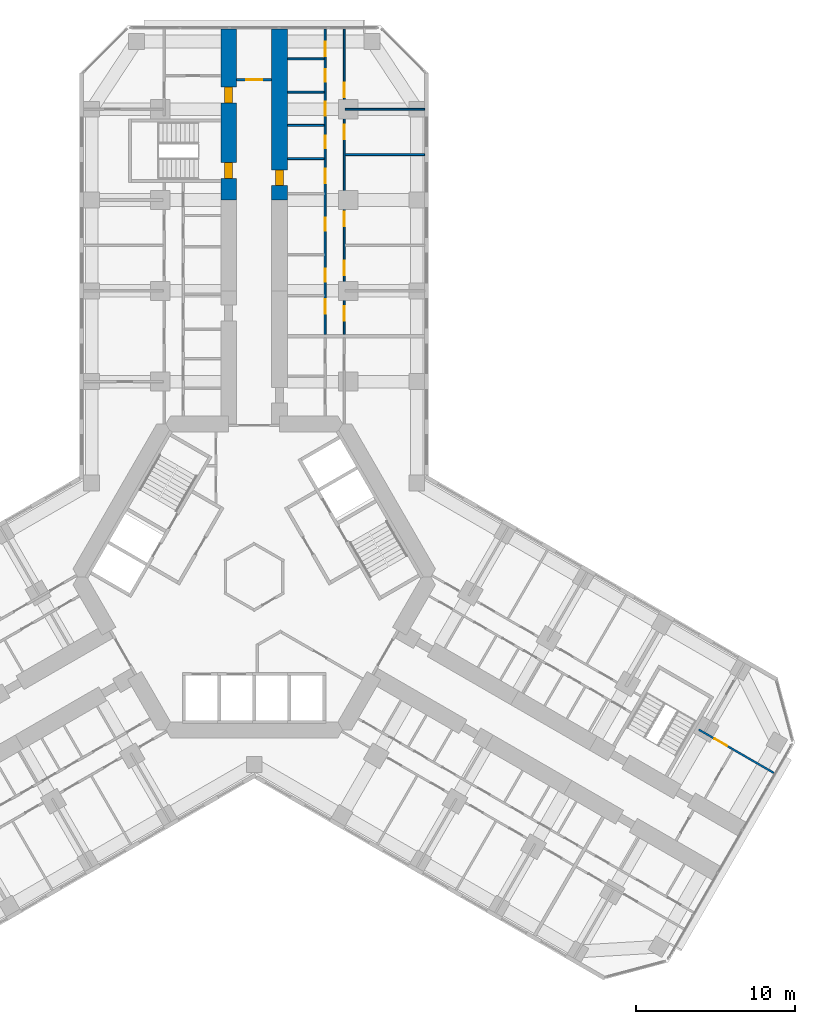
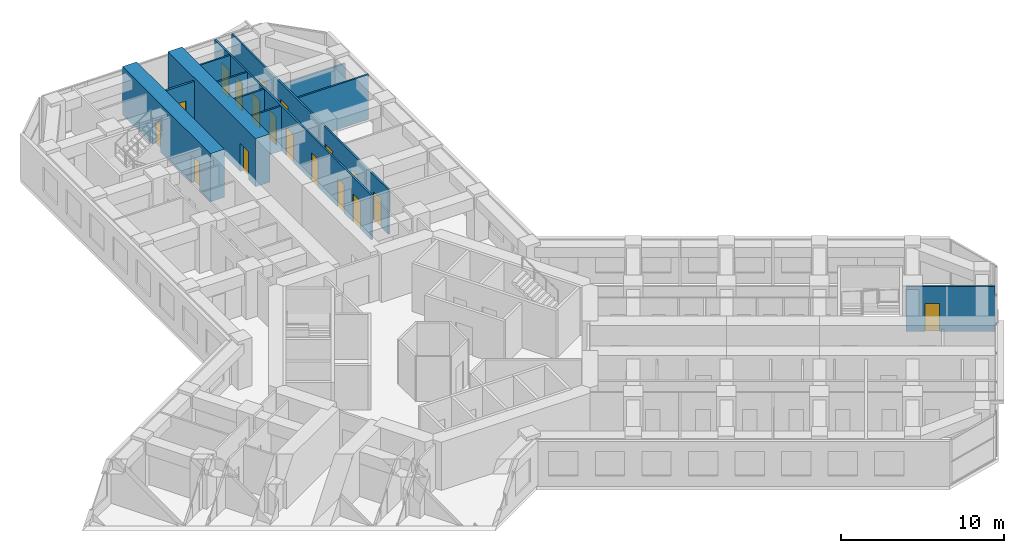
# One storey, part 19 of 21: 18 doors, 12 walls, 18 openings.
"""IFC4 building model written with IfcOpenShell, lengths in metres."""

from ifc_helpers import new_model, si_unit, direction, frame, frame_2d, origin, place, context, subcontext, project, spatial, rectangle, extrude, material, layer, layer_set, type_object, element, fill, save


model = new_model("IFC4")

# Units and contexts
model_context = context("Model", 3, precision=1e-05, world=origin(), true_north=direction((0.0, 1.0)))
body_context = subcontext(model_context, "Body", "Model", "MODEL_VIEW")
ifc_project = project(units=[si_unit("LENGTHUNIT", "METRE"), si_unit("AREAUNIT", "SQUARE_METRE"), si_unit("VOLUMEUNIT", "CUBIC_METRE"), si_unit("PLANEANGLEUNIT", "RADIAN"), si_unit("MASSUNIT", "GRAM", prefix="KILO")], contexts=[model_context])

# Site, building, storey
site_placement = place(None, origin())
site = spatial("IfcSite", under=ifc_project, at=site_placement, CompositionType="ELEMENT")
building_placement = place(site_placement, origin())
building = spatial("IfcBuilding", under=site, at=building_placement, Name="Kosmar Iwan School Tower", CompositionType="ELEMENT")
storey_placement = place(building_placement, frame((0.0, 0.0, 64.60009765625)))
storey = spatial("IfcBuildingStorey", under=building, at=storey_placement, Name="L15", CompositionType="ELEMENT", Elevation=64.60009765625)

# Wall, openings, doors
ifc_material_1 = material(Name="Concrete C50/60", Category="concrete")
ifc_layer_1 = layer(ifc_material_1, 1.0)
ifc_layer_set_1 = layer_set([ifc_layer_1], Name="Corridor buttress wall 1000")
wall_type_1 = type_object("IfcWallType", Name="Corridor buttress wall 1000", PredefinedType="SHEAR", material=ifc_layer_set_1)
wall_1_placement = place(storey_placement, frame((-1.60009765625, 23.64990234375, 0.0), z_axis=(0.0, 0.0, 1.0), x_axis=(0.0, 1.0, 0.0)))
wall_1 = element("IfcWall", 1, at=wall_1_placement, inside=storey, type_object=wall_type_1, Name="Corridor wall AL bay 3", PredefinedType="SHEAR", context=body_context, shape_type="SweptSolid", body=[
    extrude(rectangle(XDim=10.7451171875, YDim=1.0, at=frame_2d((5.37255859375, 0.0))), origin(), (0.0, 0.0, 1.0), 3.599853515625),
])
opening_1_placement = place(wall_1_placement, frame((6.10009765625, 0.0, 0.0)))
opening_1 = element("IfcOpeningElement", 2, at=opening_1_placement, cuts=wall_1, Name="Opening D1", PredefinedType="OPENING", context=body_context, shape_type="SweptSolid", body=[
    extrude(rectangle(XDim=1.0, YDim=2.10009765625, at=frame_2d((0.5, 1.050048828125))), frame((0.0, 0.511962890625, 0.0), z_axis=(0.0, -1.0, 0.0), x_axis=(1.0, 0.0, 0.0)), (0.0, 0.0, 1.0), 1.02392578125),
])
opening_2_placement = place(wall_1_placement, frame((1.35009765625, 0.0, 0.0)))
opening_2 = element("IfcOpeningElement", 3, at=opening_2_placement, cuts=wall_1, Name="Opening D6", PredefinedType="OPENING", context=body_context, shape_type="SweptSolid", body=[
    extrude(rectangle(XDim=1.0, YDim=2.10009765625, at=frame_2d((0.5, 1.050048828125))), frame((0.0, 0.511962890625, 0.0), z_axis=(0.0, -1.0, 0.0), x_axis=(1.0, 0.0, 0.0)), (0.0, 0.0, 1.0), 1.02392578125),
])
ifc_material_2 = material(Name="Timber fire door in steel frame", Category="steel")
door_type_1 = type_object("IfcDoorType", Name="Flat entrance door 1000x2100", OperationType="SINGLE_SWING_LEFT", PredefinedType="DOOR", material=ifc_material_2)
door_1_placement = place(opening_1_placement, origin())
door_1 = element("IfcDoor", 4, at=door_1_placement, inside=storey, type_object=door_type_1, Name="Flat L15-AL2 entrance door", OperationType="SINGLE_SWING_RIGHT", OverallHeight=2.10009765625, OverallWidth=1.0, PredefinedType="DOOR", context=body_context, shape_type="SweptSolid", body=[
    extrude(rectangle(XDim=1.0, YDim=2.10009765625, at=frame_2d((0.5, 1.050048828125))), frame((0.0, 0.25, 0.0), z_axis=(0.0, -1.0, 0.0), x_axis=(1.0, 0.0, 0.0)), (0.0, 0.0, 1.0), 0.5),
])
fill(opening_1, door_1)
ifc_material_3 = material(Name="Steel fire door", Category="steel")
door_type_2 = type_object("IfcDoorType", Name="Stair door 1000x2100", OperationType="SINGLE_SWING_LEFT", PredefinedType="DOOR", material=ifc_material_3)
door_2_placement = place(opening_2_placement, origin())
door_2 = element("IfcDoor", 5, at=door_2_placement, inside=storey, type_object=door_type_2, Name="Stair WS1 door L15", OperationType="SINGLE_SWING_LEFT", OverallHeight=2.10009765625, OverallWidth=1.0, PredefinedType="DOOR", context=body_context, shape_type="SweptSolid", body=[
    extrude(rectangle(XDim=1.0, YDim=2.10009765625, at=frame_2d((0.5, 1.050048828125))), frame((0.0, 0.25, 0.0), z_axis=(0.0, -1.0, 0.0), x_axis=(1.0, 0.0, 0.0)), (0.0, 0.0, 1.0), 0.5),
])
fill(opening_2, door_2)

# Wall, opening, door
wall_2_placement = place(storey_placement, frame((1.60009765625, 23.64990234375, 0.0), z_axis=(0.0, 0.0, 1.0), x_axis=(0.0, 1.0, 0.0)))
wall_2 = element("IfcWall", 6, at=wall_2_placement, inside=storey, type_object=wall_type_1, Name="Corridor wall AR bay 3", PredefinedType="SHEAR", context=body_context, shape_type="SweptSolid", body=[
    extrude(rectangle(XDim=10.7451171875, YDim=1.0, at=frame_2d((5.37255859375, 0.0))), origin(), (0.0, 0.0, 1.0), 3.599853515625),
])
opening_3_placement = place(wall_2_placement, frame((0.89990234375, 0.0, 0.0)))
opening_3 = element("IfcOpeningElement", 7, at=opening_3_placement, cuts=wall_2, Name="Opening D1", PredefinedType="OPENING", context=body_context, shape_type="SweptSolid", body=[
    extrude(rectangle(XDim=1.0, YDim=2.10009765625, at=frame_2d((0.5, 1.050048828125))), frame((0.0, 0.511962890625, 0.0), z_axis=(0.0, -1.0, 0.0), x_axis=(1.0, 0.0, 0.0)), (0.0, 0.0, 1.0), 1.02392578125),
])
door_3_placement = place(opening_3_placement, origin())
door_3 = element("IfcDoor", 8, at=door_3_placement, inside=storey, type_object=door_type_1, Name="Flat L15-AR2 entrance door", OperationType="SINGLE_SWING_LEFT", OverallHeight=2.10009765625, OverallWidth=1.0, PredefinedType="DOOR", context=body_context, shape_type="SweptSolid", body=[
    extrude(rectangle(XDim=1.0, YDim=2.10009765625, at=frame_2d((0.5, 1.050048828125))), frame((0.0, 0.25, 0.0), z_axis=(0.0, -1.0, 0.0), x_axis=(1.0, 0.0, 0.0)), (0.0, 0.0, 1.0), 0.5),
])
fill(opening_3, door_3)

ifc_material_4 = material(Name="Gypsum board on steel studs, fire-rated", Category="steel")
ifc_layer_2 = layer(ifc_material_4, 0.14990234375)
ifc_layer_set_2 = layer_set([ifc_layer_2], Name="Corridor end wall 150")
wall_type_2 = type_object("IfcWallType", Name="Corridor end wall 150", PredefinedType="PARTITIONING", material=ifc_layer_set_2)
wall_3_placement = place(storey_placement, frame((1.10009765625, 31.199951171875, 0.0), z_axis=(0.0, 0.0, 1.0), x_axis=(-1.0, 0.0, 0.0)))
wall_3 = element("IfcWall", 9, at=wall_3_placement, inside=storey, type_object=wall_type_2, Name="Partition L15-A-CE", PredefinedType="PARTITIONING", context=body_context, shape_type="SweptSolid", body=[
    extrude(rectangle(XDim=2.2001953125, YDim=0.14990234375, at=frame_2d((1.10009765625, 0.0))), origin(), (0.0, 0.0, 1.0), 3.349853515625),
])
opening_4_placement = place(wall_3_placement, frame((0.60009765625, 0.0, 0.0)))
opening_4 = element("IfcOpeningElement", 10, at=opening_4_placement, cuts=wall_3, Name="Opening D13", PredefinedType="OPENING", context=body_context, shape_type="SweptSolid", body=[
    extrude(rectangle(XDim=1.0, YDim=2.10009765625, at=frame_2d((0.5, 1.050048828125))), frame((0.0, 0.0869140625, 0.0), z_axis=(0.0, -1.0, 0.0), x_axis=(1.0, 0.0, 0.0)), (0.0, 0.0, 1.0), 0.173828125),
])
ifc_material_5 = material(Name="Timber fire door with vision panel", Category="wood")
door_type_3 = type_object("IfcDoorType", Name="Corridor end door 1000x2100", OperationType="SINGLE_SWING_LEFT", PredefinedType="DOOR", material=ifc_material_5)
door_4_placement = place(opening_4_placement, origin())
door_4 = element("IfcDoor", 11, at=door_4_placement, inside=storey, type_object=door_type_3, Name="Family study room door L15-A", OperationType="SINGLE_SWING_LEFT", OverallHeight=2.10009765625, OverallWidth=1.0, PredefinedType="DOOR", context=body_context, shape_type="SweptSolid", body=[
    extrude(rectangle(XDim=1.0, YDim=2.10009765625, at=frame_2d((0.5, 1.050048828125))), frame((0.0, 0.02490234375, 0.0), z_axis=(0.0, -1.0, 0.0), x_axis=(1.0, 0.0, 0.0)), (0.0, 0.0, 1.0), 0.050048828125),
])
fill(opening_4, door_4)

# Wall, openings, doors
ifc_material_6 = material(Name="Gypsum board on steel studs", Category="steel")
ifc_layer_3 = layer(ifc_material_6, 0.1201171875)
ifc_layer_set_3 = layer_set([ifc_layer_3], Name="Dwelling partition 120")
wall_type_3 = type_object("IfcWallType", Name="Dwelling partition 120", PredefinedType="PARTITIONING", material=ifc_layer_set_3)
wall_4_placement = place(storey_placement, frame((4.449951171875, 15.199951171875, 0.0), z_axis=(0.0, 0.0, 1.0), x_axis=(0.0, 1.0, 0.0)))
wall_4 = element("IfcWall", 12, at=wall_4_placement, inside=storey, type_object=wall_type_3, Name="Partition L15-AR2-W1", PredefinedType="PARTITIONING", context=body_context, shape_type="SweptSolid", body=[
    extrude(rectangle(XDim=19.195068359375, YDim=0.1201171875, at=frame_2d((9.59765625, 0.0))), origin(), (0.0, 0.0, 1.0), 3.349853515625),
])
opening_5_placement = place(wall_4_placement, frame((1.32861328125, 0.0, 0.0)))
opening_5 = element("IfcOpeningElement", 13, at=opening_5_placement, cuts=wall_4, Name="Opening D2", PredefinedType="OPENING", context=body_context, shape_type="SweptSolid", body=[
    extrude(rectangle(XDim=0.89990234375, YDim=2.10009765625, at=frame_2d((0.449951171875, 1.050048828125))), frame((0.0, 0.072021484375, 0.0), z_axis=(0.0, -1.0, 0.0), x_axis=(1.0, 0.0, 0.0)), (0.0, 0.0, 1.0), 0.14404296875),
])
opening_6_placement = place(wall_4_placement, frame((3.335693359375, 0.0, 0.0)))
opening_6 = element("IfcOpeningElement", 14, at=opening_6_placement, cuts=wall_4, Name="Opening D3", PredefinedType="OPENING", context=body_context, shape_type="SweptSolid", body=[
    extrude(rectangle(XDim=0.800048828125, YDim=2.10009765625, at=frame_2d((0.39990234375, 1.050048828125))), frame((0.0, 0.072021484375, 0.0), z_axis=(0.0, -1.0, 0.0), x_axis=(1.0, 0.0, 0.0)), (0.0, 0.0, 1.0), 0.14404296875),
])
opening_7_placement = place(wall_4_placement, frame((6.5322265625, 0.0, 0.0)))
opening_7 = element("IfcOpeningElement", 15, at=opening_7_placement, cuts=wall_4, Name="Opening D3", PredefinedType="OPENING", context=body_context, shape_type="SweptSolid", body=[
    extrude(rectangle(XDim=0.800048828125, YDim=2.10009765625, at=frame_2d((0.39990234375, 1.050048828125))), frame((0.0, 0.072021484375, 0.0), z_axis=(0.0, -1.0, 0.0), x_axis=(1.0, 0.0, 0.0)), (0.0, 0.0, 1.0), 0.14404296875),
])
opening_8_placement = place(wall_4_placement, frame((9.5, 0.0, 0.0)))
opening_8 = element("IfcOpeningElement", 16, at=opening_8_placement, cuts=wall_4, Name="Opening D2", PredefinedType="OPENING", context=body_context, shape_type="SweptSolid", body=[
    extrude(rectangle(XDim=0.89990234375, YDim=2.10009765625, at=frame_2d((0.449951171875, 1.050048828125))), frame((0.0, 0.072021484375, 0.0), z_axis=(0.0, -1.0, 0.0), x_axis=(1.0, 0.0, 0.0)), (0.0, 0.0, 1.0), 0.14404296875),
])
opening_9_placement = place(wall_4_placement, frame((11.69384765625, 0.0, 0.0)))
opening_9 = element("IfcOpeningElement", 17, at=opening_9_placement, cuts=wall_4, Name="Opening D3", PredefinedType="OPENING", context=body_context, shape_type="SweptSolid", body=[
    extrude(rectangle(XDim=0.800048828125, YDim=2.10009765625, at=frame_2d((0.39990234375, 1.050048828125))), frame((0.0, 0.072021484375, 0.0), z_axis=(0.0, -1.0, 0.0), x_axis=(1.0, 0.0, 0.0)), (0.0, 0.0, 1.0), 0.14404296875),
])
opening_10_placement = place(wall_4_placement, frame((13.731201171875, 0.0, 0.0)))
opening_10 = element("IfcOpeningElement", 18, at=opening_10_placement, cuts=wall_4, Name="Opening D2", PredefinedType="OPENING", context=body_context, shape_type="SweptSolid", body=[
    extrude(rectangle(XDim=0.89990234375, YDim=2.10009765625, at=frame_2d((0.449951171875, 1.050048828125))), frame((0.0, 0.072021484375, 0.0), z_axis=(0.0, -1.0, 0.0), x_axis=(1.0, 0.0, 0.0)), (0.0, 0.0, 1.0), 0.14404296875),
])
opening_11_placement = place(wall_4_placement, frame((15.86865234375, 0.0, 0.0)))
opening_11 = element("IfcOpeningElement", 19, at=opening_11_placement, cuts=wall_4, Name="Opening D3", PredefinedType="OPENING", context=body_context, shape_type="SweptSolid", body=[
    extrude(rectangle(XDim=0.800048828125, YDim=2.10009765625, at=frame_2d((0.39990234375, 1.050048828125))), frame((0.0, 0.072021484375, 0.0), z_axis=(0.0, -1.0, 0.0), x_axis=(1.0, 0.0, 0.0)), (0.0, 0.0, 1.0), 0.14404296875),
])
opening_12_placement = place(wall_4_placement, frame((17.472412109375, 0.0, 0.0)))
opening_12 = element("IfcOpeningElement", 20, at=opening_12_placement, cuts=wall_4, Name="Opening D2", PredefinedType="OPENING", context=body_context, shape_type="SweptSolid", body=[
    extrude(rectangle(XDim=0.89990234375, YDim=2.10009765625, at=frame_2d((0.449951171875, 1.050048828125))), frame((0.0, 0.072021484375, 0.0), z_axis=(0.0, -1.0, 0.0), x_axis=(1.0, 0.0, 0.0)), (0.0, 0.0, 1.0), 0.14404296875),
])
ifc_material_7 = material(Name="Timber door in timber frame", Category="wood")
door_type_4 = type_object("IfcDoorType", Name="Internal door 900x2100", OperationType="SINGLE_SWING_LEFT", PredefinedType="DOOR", material=ifc_material_7)
door_5_placement = place(opening_5_placement, origin())
door_5 = element("IfcDoor", 21, at=door_5_placement, inside=storey, type_object=door_type_4, Name="Utility room door L15-AR2-S1", OperationType="SINGLE_SWING_RIGHT", OverallHeight=2.10009765625, OverallWidth=0.89990234375, PredefinedType="DOOR", context=body_context, shape_type="SweptSolid", body=[
    extrude(rectangle(XDim=0.89990234375, YDim=2.10009765625, at=frame_2d((0.449951171875, 1.050048828125))), frame((0.0, 0.02490234375, 0.0), z_axis=(0.0, -1.0, 0.0), x_axis=(1.0, 0.0, 0.0)), (0.0, 0.0, 1.0), 0.050048828125),
])
fill(opening_5, door_5)
door_6_placement = place(opening_8_placement, origin())
door_6 = element("IfcDoor", 22, at=door_6_placement, inside=storey, type_object=door_type_4, Name="Entrance hall door L15-AR2-S4", OperationType="SINGLE_SWING_RIGHT", OverallHeight=2.10009765625, OverallWidth=0.89990234375, PredefinedType="DOOR", context=body_context, shape_type="SweptSolid", body=[
    extrude(rectangle(XDim=0.89990234375, YDim=2.10009765625, at=frame_2d((0.449951171875, 1.050048828125))), frame((0.0, 0.02490234375, 0.0), z_axis=(0.0, -1.0, 0.0), x_axis=(1.0, 0.0, 0.0)), (0.0, 0.0, 1.0), 0.050048828125),
])
fill(opening_8, door_6)
door_7_placement = place(opening_10_placement, origin())
door_7 = element("IfcDoor", 23, at=door_7_placement, inside=storey, type_object=door_type_4, Name="Pantry door L15-AR2-S6", OperationType="SINGLE_SWING_RIGHT", OverallHeight=2.10009765625, OverallWidth=0.89990234375, PredefinedType="DOOR", context=body_context, shape_type="SweptSolid", body=[
    extrude(rectangle(XDim=0.89990234375, YDim=2.10009765625, at=frame_2d((0.449951171875, 1.050048828125))), frame((0.0, 0.02490234375, 0.0), z_axis=(0.0, -1.0, 0.0), x_axis=(1.0, 0.0, 0.0)), (0.0, 0.0, 1.0), 0.050048828125),
])
fill(opening_10, door_7)
door_8_placement = place(opening_12_placement, origin())
door_8 = element("IfcDoor", 24, at=door_8_placement, inside=storey, type_object=door_type_4, Name="Dressing room door L15-AR2-S8", OperationType="SINGLE_SWING_LEFT", OverallHeight=2.10009765625, OverallWidth=0.89990234375, PredefinedType="DOOR", context=body_context, shape_type="SweptSolid", body=[
    extrude(rectangle(XDim=0.89990234375, YDim=2.10009765625, at=frame_2d((0.449951171875, 1.050048828125))), frame((0.0, 0.02490234375, 0.0), z_axis=(0.0, -1.0, 0.0), x_axis=(1.0, 0.0, 0.0)), (0.0, 0.0, 1.0), 0.050048828125),
])
fill(opening_12, door_8)
ifc_material_8 = material(Name="Timber door in timber frame", Category="wood")
door_type_5 = type_object("IfcDoorType", Name="Sanitary room door 800x2100", OperationType="SINGLE_SWING_LEFT", PredefinedType="DOOR", material=ifc_material_8)
door_9_placement = place(opening_6_placement, origin())
door_9 = element("IfcDoor", 25, at=door_9_placement, inside=storey, type_object=door_type_5, Name="WC door L15-AR2-S2", OperationType="SINGLE_SWING_RIGHT", OverallHeight=2.10009765625, OverallWidth=0.800048828125, PredefinedType="DOOR", context=body_context, shape_type="SweptSolid", body=[
    extrude(rectangle(XDim=0.800048828125, YDim=2.10009765625, at=frame_2d((0.39990234375, 1.050048828125))), frame((0.0, 0.02490234375, 0.0), z_axis=(0.0, -1.0, 0.0), x_axis=(1.0, 0.0, 0.0)), (0.0, 0.0, 1.0), 0.050048828125),
])
fill(opening_6, door_9)
door_10_placement = place(opening_7_placement, origin())
door_10 = element("IfcDoor", 26, at=door_10_placement, inside=storey, type_object=door_type_5, Name="Bathroom door L15-AR2-S3", OperationType="SINGLE_SWING_LEFT", OverallHeight=2.10009765625, OverallWidth=0.800048828125, PredefinedType="DOOR", context=body_context, shape_type="SweptSolid", body=[
    extrude(rectangle(XDim=0.800048828125, YDim=2.10009765625, at=frame_2d((0.39990234375, 1.050048828125))), frame((0.0, 0.02490234375, 0.0), z_axis=(0.0, -1.0, 0.0), x_axis=(1.0, 0.0, 0.0)), (0.0, 0.0, 1.0), 0.050048828125),
])
fill(opening_7, door_10)
door_11_placement = place(opening_9_placement, origin())
door_11 = element("IfcDoor", 27, at=door_11_placement, inside=storey, type_object=door_type_5, Name="Shower room door L15-AR2-S5", OperationType="SINGLE_SWING_LEFT", OverallHeight=2.10009765625, OverallWidth=0.800048828125, PredefinedType="DOOR", context=body_context, shape_type="SweptSolid", body=[
    extrude(rectangle(XDim=0.800048828125, YDim=2.10009765625, at=frame_2d((0.39990234375, 1.050048828125))), frame((0.0, 0.02490234375, 0.0), z_axis=(0.0, -1.0, 0.0), x_axis=(1.0, 0.0, 0.0)), (0.0, 0.0, 1.0), 0.050048828125),
])
fill(opening_9, door_11)
door_12_placement = place(opening_11_placement, origin())
door_12 = element("IfcDoor", 28, at=door_12_placement, inside=storey, type_object=door_type_5, Name="Store door L15-AR2-S7", OperationType="SINGLE_SWING_LEFT", OverallHeight=2.10009765625, OverallWidth=0.800048828125, PredefinedType="DOOR", context=body_context, shape_type="SweptSolid", body=[
    extrude(rectangle(XDim=0.800048828125, YDim=2.10009765625, at=frame_2d((0.39990234375, 1.050048828125))), frame((0.0, 0.02490234375, 0.0), z_axis=(0.0, -1.0, 0.0), x_axis=(1.0, 0.0, 0.0)), (0.0, 0.0, 1.0), 0.050048828125),
])
fill(opening_11, door_12)

wall_5_placement = place(storey_placement, frame((5.64990234375, 15.199951171875, 0.0), z_axis=(0.0, 0.0, 1.0), x_axis=(0.0, 1.0, 0.0)))
wall_5 = element("IfcWall", 29, at=wall_5_placement, inside=storey, type_object=wall_type_3, Name="Partition L15-AR2-W2", PredefinedType="PARTITIONING", context=body_context, shape_type="SweptSolid", body=[
    extrude(rectangle(XDim=19.195068359375, YDim=0.1201171875, at=frame_2d((9.59765625, 0.0))), origin(), (0.0, 0.0, 1.0), 3.349853515625),
])
opening_13_placement = place(wall_5_placement, frame((0.875, 0.0, 0.0)))
opening_13 = element("IfcOpeningElement", 30, at=opening_13_placement, cuts=wall_5, Name="Opening D2", PredefinedType="OPENING", context=body_context, shape_type="SweptSolid", body=[
    extrude(rectangle(XDim=0.89990234375, YDim=2.10009765625, at=frame_2d((0.449951171875, 1.050048828125))), frame((0.0, 0.072021484375, 0.0), z_axis=(0.0, -1.0, 0.0), x_axis=(1.0, 0.0, 0.0)), (0.0, 0.0, 1.0), 0.14404296875),
])
opening_14_placement = place(wall_5_placement, frame((3.72509765625, 0.0, 0.0)))
opening_14 = element("IfcOpeningElement", 31, at=opening_14_placement, cuts=wall_5, Name="Opening D2", PredefinedType="OPENING", context=body_context, shape_type="SweptSolid", body=[
    extrude(rectangle(XDim=0.89990234375, YDim=2.10009765625, at=frame_2d((0.449951171875, 1.050048828125))), frame((0.0, 0.072021484375, 0.0), z_axis=(0.0, -1.0, 0.0), x_axis=(1.0, 0.0, 0.0)), (0.0, 0.0, 1.0), 0.14404296875),
])
opening_15_placement = place(wall_5_placement, frame((6.800048828125, 0.0, 0.0)))
opening_15 = element("IfcOpeningElement", 32, at=opening_15_placement, cuts=wall_5, Name="Opening D2", PredefinedType="OPENING", context=body_context, shape_type="SweptSolid", body=[
    extrude(rectangle(XDim=0.89990234375, YDim=2.10009765625, at=frame_2d((0.449951171875, 1.050048828125))), frame((0.0, 0.072021484375, 0.0), z_axis=(0.0, -1.0, 0.0), x_axis=(1.0, 0.0, 0.0)), (0.0, 0.0, 1.0), 0.14404296875),
])
opening_16_placement = place(wall_5_placement, frame((12.27490234375, 0.0, 0.0)))
opening_16 = element("IfcOpeningElement", 33, at=opening_16_placement, cuts=wall_5, Name="Opening D2", PredefinedType="OPENING", context=body_context, shape_type="SweptSolid", body=[
    extrude(rectangle(XDim=0.89990234375, YDim=2.10009765625, at=frame_2d((0.449951171875, 1.050048828125))), frame((0.0, 0.072021484375, 0.0), z_axis=(0.0, -1.0, 0.0), x_axis=(1.0, 0.0, 0.0)), (0.0, 0.0, 1.0), 0.14404296875),
])
opening_17_placement = place(wall_5_placement, frame((14.89990234375, 0.0, 0.0)))
opening_17 = element("IfcOpeningElement", 34, at=opening_17_placement, cuts=wall_5, Name="Opening D2", PredefinedType="OPENING", context=body_context, shape_type="SweptSolid", body=[
    extrude(rectangle(XDim=0.89990234375, YDim=2.10009765625, at=frame_2d((0.449951171875, 1.050048828125))), frame((0.0, 0.072021484375, 0.0), z_axis=(0.0, -1.0, 0.0), x_axis=(1.0, 0.0, 0.0)), (0.0, 0.0, 1.0), 0.14404296875),
])
door_13_placement = place(opening_13_placement, origin())
door_13 = element("IfcDoor", 35, at=door_13_placement, inside=storey, type_object=door_type_4, Name="Bedroom 1 door L15-AR2-F1", OperationType="SINGLE_SWING_LEFT", OverallHeight=2.10009765625, OverallWidth=0.89990234375, PredefinedType="DOOR", context=body_context, shape_type="SweptSolid", body=[
    extrude(rectangle(XDim=0.89990234375, YDim=2.10009765625, at=frame_2d((0.449951171875, 1.050048828125))), frame((0.0, 0.02490234375, 0.0), z_axis=(0.0, -1.0, 0.0), x_axis=(1.0, 0.0, 0.0)), (0.0, 0.0, 1.0), 0.050048828125),
])
fill(opening_13, door_13)
door_14_placement = place(opening_14_placement, origin())
door_14 = element("IfcDoor", 36, at=door_14_placement, inside=storey, type_object=door_type_4, Name="Bedroom 2 door L15-AR2-F2", OperationType="SINGLE_SWING_LEFT", OverallHeight=2.10009765625, OverallWidth=0.89990234375, PredefinedType="DOOR", context=body_context, shape_type="SweptSolid", body=[
    extrude(rectangle(XDim=0.89990234375, YDim=2.10009765625, at=frame_2d((0.449951171875, 1.050048828125))), frame((0.0, 0.02490234375, 0.0), z_axis=(0.0, -1.0, 0.0), x_axis=(1.0, 0.0, 0.0)), (0.0, 0.0, 1.0), 0.050048828125),
])
fill(opening_14, door_14)
door_15_placement = place(opening_15_placement, origin())
door_15 = element("IfcDoor", 37, at=door_15_placement, inside=storey, type_object=door_type_4, Name="Living room and kitchen door L15-AR2-F3", OperationType="SINGLE_SWING_LEFT", OverallHeight=2.10009765625, OverallWidth=0.89990234375, PredefinedType="DOOR", context=body_context, shape_type="SweptSolid", body=[
    extrude(rectangle(XDim=0.89990234375, YDim=2.10009765625, at=frame_2d((0.449951171875, 1.050048828125))), frame((0.0, 0.02490234375, 0.0), z_axis=(0.0, -1.0, 0.0), x_axis=(1.0, 0.0, 0.0)), (0.0, 0.0, 1.0), 0.050048828125),
])
fill(opening_15, door_15)
door_16_placement = place(opening_16_placement, origin())
door_16 = element("IfcDoor", 38, at=door_16_placement, inside=storey, type_object=door_type_4, Name="Study door L15-AR2-F4", OperationType="SINGLE_SWING_RIGHT", OverallHeight=2.10009765625, OverallWidth=0.89990234375, PredefinedType="DOOR", context=body_context, shape_type="SweptSolid", body=[
    extrude(rectangle(XDim=0.89990234375, YDim=2.10009765625, at=frame_2d((0.449951171875, 1.050048828125))), frame((0.0, 0.02490234375, 0.0), z_axis=(0.0, -1.0, 0.0), x_axis=(1.0, 0.0, 0.0)), (0.0, 0.0, 1.0), 0.050048828125),
])
fill(opening_16, door_16)
door_17_placement = place(opening_17_placement, origin())
door_17 = element("IfcDoor", 39, at=door_17_placement, inside=storey, type_object=door_type_4, Name="Bedroom 3 door L15-AR2-F5", OperationType="SINGLE_SWING_RIGHT", OverallHeight=2.10009765625, OverallWidth=0.89990234375, PredefinedType="DOOR", context=body_context, shape_type="SweptSolid", body=[
    extrude(rectangle(XDim=0.89990234375, YDim=2.10009765625, at=frame_2d((0.449951171875, 1.050048828125))), frame((0.0, 0.02490234375, 0.0), z_axis=(0.0, -1.0, 0.0), x_axis=(1.0, 0.0, 0.0)), (0.0, 0.0, 1.0), 0.050048828125),
])
fill(opening_17, door_17)

# Walls
wall_6_placement = place(storey_placement, frame((5.7099609375, 26.5, 0.0), z_axis=(0.0, 0.0, 1.0), x_axis=(1.0, 0.0, 0.0)))
element("IfcWall", 40, at=wall_6_placement, inside=storey, type_object=wall_type_3, Name="Partition L15-AR2-X3", PredefinedType="PARTITIONING", context=body_context, shape_type="SweptSolid", body=[
    extrude(rectangle(XDim=4.989990234375, YDim=0.1201171875, at=frame_2d((2.4951171875, 0.0))), origin(), (0.0, 0.0, 1.0), 3.349853515625),
])
wall_7_placement = place(storey_placement, frame((5.7099609375, 29.35009765625, 0.0), z_axis=(0.0, 0.0, 1.0), x_axis=(1.0, 0.0, 0.0)))
element("IfcWall", 41, at=wall_7_placement, inside=storey, type_object=wall_type_3, Name="Partition L15-AR2-X4", PredefinedType="PARTITIONING", context=body_context, shape_type="SweptSolid", body=[
    extrude(rectangle(XDim=4.989990234375, YDim=0.1201171875, at=frame_2d((2.4951171875, 0.0))), origin(), (0.0, 0.0, 1.0), 2.449951171875),
])
for number, where, z_axis, x_axis, name in (
    (42, (2.10009765625, 26.25, 0.0), (0.0, 0.0, 1.0), (1.0, 0.0, 0.0), "Partition L15-AR2-Y4"),
    (43, (2.10009765625, 28.33740234375, 0.0), (0.0, 0.0, 1.0), (1.0, 0.0, 0.0), "Partition L15-AR2-Y5"),
    (44, (2.10009765625, 30.425048828125, 0.0), (0.0, 0.0, 1.0), (1.0, 0.0, 0.0), "Partition L15-AR2-Y6"),
    (45, (2.10009765625, 32.512451171875, 0.0), (0.0, 0.0, 1.0), (1.0, 0.0, 0.0), "Partition L15-AR2-Y7"),
):
    element("IfcWall", number, at=place(storey_placement, frame(where, z_axis=z_axis, x_axis=x_axis)), inside=storey, type_object=wall_type_3, Name=name, PredefinedType="PARTITIONING", context=body_context, shape_type="SweptSolid", body=[
        extrude(rectangle(XDim=2.289794921875, YDim=0.1201171875, at=frame_2d((1.14501953125, 0.0))), origin(), (0.0, 0.0, 1.0), 3.349853515625),
    ])

# Wall, opening, door
wall_8_placement = place(storey_placement, frame((27.896484375, -9.58203125, 0.0), z_axis=(0.0, 0.0, 1.0), x_axis=(0.866035508231, -0.499982498177, 0.0)))
wall_8 = element("IfcWall", 46, at=wall_8_placement, inside=storey, type_object=wall_type_3, Name="Partition L15-CL2-TW", PredefinedType="PARTITIONING", context=body_context, shape_type="SweptSolid", body=[
    extrude(rectangle(XDim=5.445068359375, YDim=0.1201171875, at=frame_2d((2.72265625, 0.0))), origin(), (0.0, 0.0, 1.0), 3.349853515625),
])
opening_18_placement = place(wall_8_placement, frame((1.14990234375, 0.0, 0.0)))
opening_18 = element("IfcOpeningElement", 47, at=opening_18_placement, cuts=wall_8, Name="Opening D2", PredefinedType="OPENING", context=body_context, shape_type="SweptSolid", body=[
    extrude(rectangle(XDim=0.89990234375, YDim=2.10009765625, at=frame_2d((0.449951171875, 1.050048828125))), frame((0.0, 0.072021484375, 0.0), z_axis=(0.0, -1.0, 0.0), x_axis=(1.0, 0.0, 0.0)), (0.0, 0.0, 1.0), 0.14404296875),
])
door_18_placement = place(opening_18_placement, origin())
door_18 = element("IfcDoor", 48, at=door_18_placement, inside=storey, type_object=door_type_4, Name="Entrance hall door L15-CL2-T3", OperationType="SINGLE_SWING_LEFT", OverallHeight=2.10009765625, OverallWidth=0.89990234375, PredefinedType="DOOR", context=body_context, shape_type="SweptSolid", body=[
    extrude(rectangle(XDim=0.89990234375, YDim=2.10009765625, at=frame_2d((0.449951171875, 1.050048828125))), frame((0.0, 0.02490234375, 0.0), z_axis=(0.0, -1.0, 0.0), x_axis=(1.0, 0.0, 0.0)), (0.0, 0.0, 1.0), 0.050048828125),
])
fill(opening_18, door_18)

save(model, "model.ifc")
